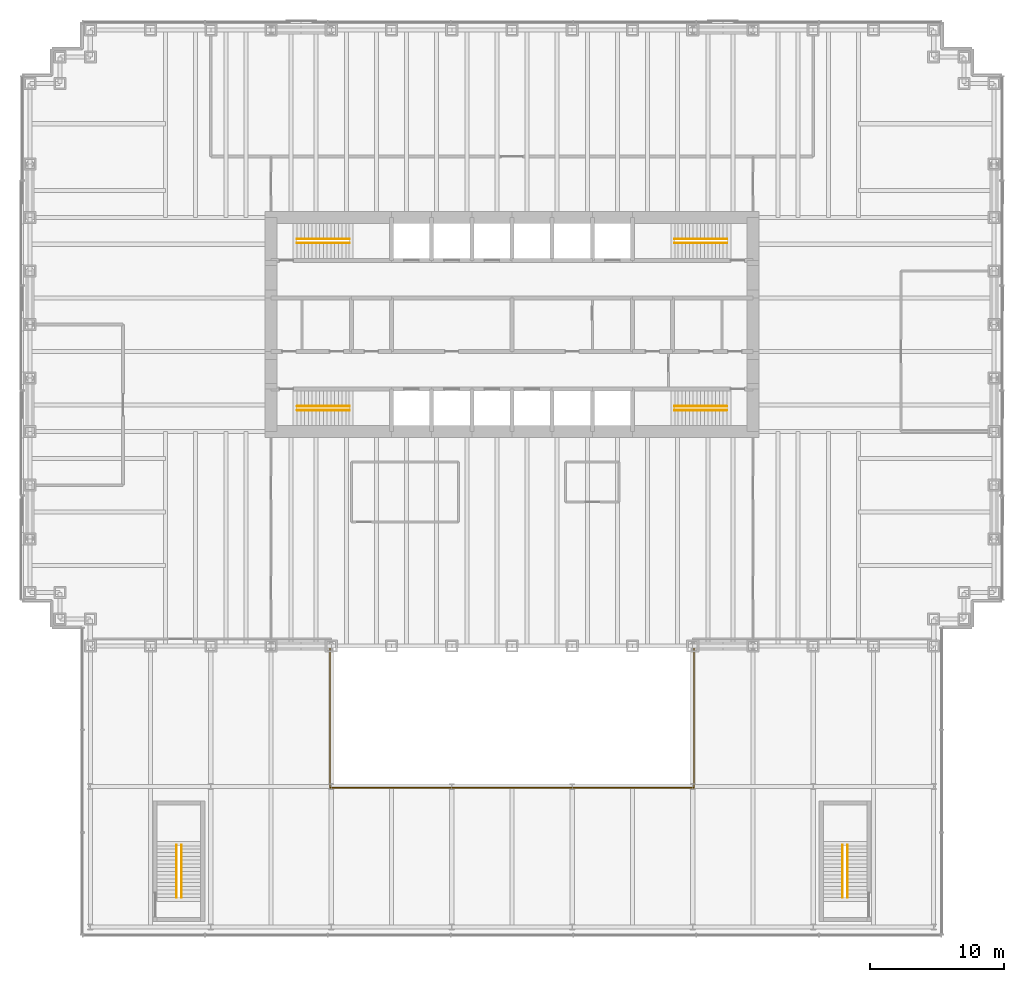
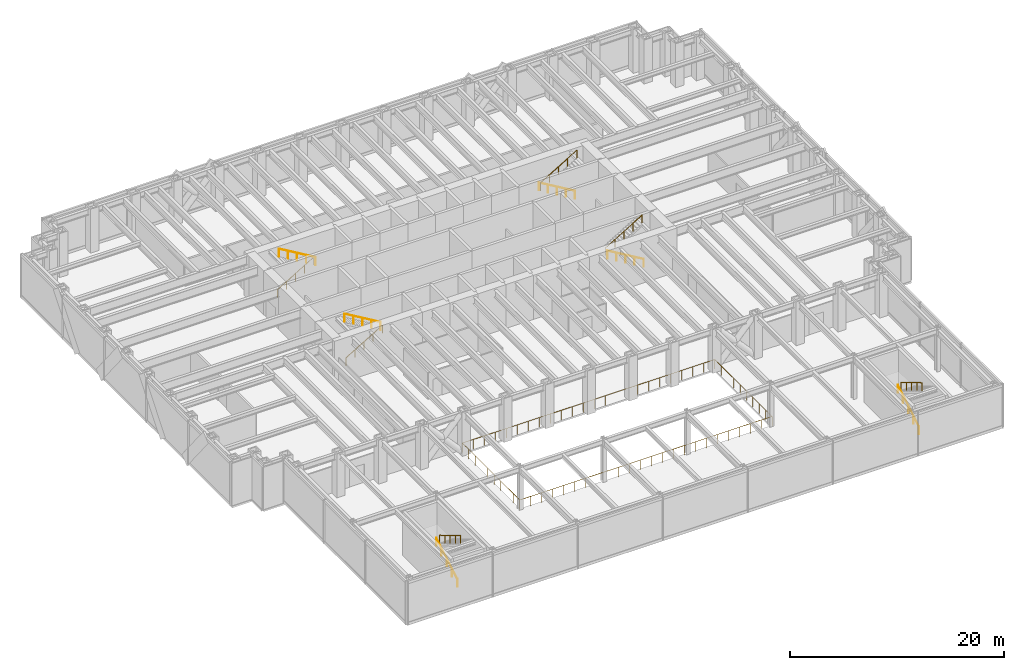
# One storey, part 17 of 17: 13 railings.
"""IFC4 building model written with IfcOpenShell, lengths in metres."""

from ifc_helpers import new_model, si_unit, direction, frame, origin, origin_2d, place, context, subcontext, project, spatial, circle, extrude, material, type_object, element, save


model = new_model("IFC4")

# Units and contexts
model_context = context("Model", 3, precision=1e-05, world=origin(), true_north=direction((0.0, 1.0)))
body_context = subcontext(model_context, "Body", "Model", "MODEL_VIEW")
ifc_project = project(units=[si_unit("LENGTHUNIT", "METRE"), si_unit("AREAUNIT", "SQUARE_METRE"), si_unit("VOLUMEUNIT", "CUBIC_METRE"), si_unit("PLANEANGLEUNIT", "RADIAN"), si_unit("MASSUNIT", "GRAM", prefix="KILO")], contexts=[model_context])

# Site, building, storey
site_placement = place(None, origin())
site = spatial("IfcSite", under=ifc_project, at=site_placement, CompositionType="ELEMENT")
building_placement = place(site_placement, origin())
building = spatial("IfcBuilding", under=site, at=building_placement, Name="Rheinbord Bourse Tower", CompositionType="ELEMENT")
storey_placement = place(building_placement, frame((0.0, 0.0, 13.0)))
storey = spatial("IfcBuildingStorey", under=building, at=storey_placement, Name="L02", CompositionType="ELEMENT", Elevation=13.0)

# Railings
ifc_material_1 = material(Name="Steel and glass guard", Category="steel")
railing_type_1 = type_object("IfcRailingType", Name="GUARD 1100", PredefinedType="GUARDRAIL", material=ifc_material_1)
railing_1_placement = place(storey_placement, frame((22.39990234375, -10.60009765625, 0.0)))
element("IfcRailing", 1, at=railing_1_placement, inside=storey, type_object=railing_type_1, Name="Atrium guard L02", PredefinedType="GUARDRAIL", context=body_context, shape_type="SweptSolid", body=[
    extrude(circle(Radius=0.02392578125, at=origin_2d()), frame((0.0, 0.0, 1.076171875), z_axis=(1.0, 0.0, 0.0), x_axis=(0.0, 1.0, 0.0)), (0.0, 0.0, 1.0), 27.2001953125),
    extrude(circle(Radius=0.02392578125, at=origin_2d()), frame((27.2001953125, 0.0, 1.076171875), z_axis=(0.0, 1.0, 0.0), x_axis=(-1.0, 0.0, 0.0)), (0.0, 0.0, 1.0), 10.7001953125),
    extrude(circle(Radius=0.02392578125, at=origin_2d()), frame((27.2001953125, 10.7001953125, 1.076171875), z_axis=(-1.0, 0.0, 0.0), x_axis=(0.0, -1.0, 0.0)), (0.0, 0.0, 1.0), 27.2001953125),
    extrude(circle(Radius=0.02392578125, at=origin_2d()), frame((0.0, 10.7001953125, 1.076171875), z_axis=(0.0, -1.0, 0.0), x_axis=(1.0, 0.0, 0.0)), (0.0, 0.0, 1.0), 10.7001953125),
    extrude(circle(Radius=0.02099609375, at=origin_2d()), origin(), (0.0, 0.0, 1.0), 1.052001953125),
    extrude(circle(Radius=0.02099609375, at=origin_2d()), frame((1.1826171875, 0.0, 0.0)), (0.0, 0.0, 1.0), 1.052001953125),
    extrude(circle(Radius=0.02099609375, at=origin_2d()), frame((2.365234375, 0.0, 0.0)), (0.0, 0.0, 1.0), 1.052001953125),
    extrude(circle(Radius=0.02099609375, at=origin_2d()), frame((3.5478515625, 0.0, 0.0)), (0.0, 0.0, 1.0), 1.052001953125),
    extrude(circle(Radius=0.02099609375, at=origin_2d()), frame((4.73046875, 0.0, 0.0)), (0.0, 0.0, 1.0), 1.052001953125),
    extrude(circle(Radius=0.02099609375, at=origin_2d()), frame((5.9130859375, 0.0, 0.0)), (0.0, 0.0, 1.0), 1.052001953125),
    extrude(circle(Radius=0.02099609375, at=origin_2d()), frame((7.095703125, 0.0, 0.0)), (0.0, 0.0, 1.0), 1.052001953125),
    extrude(circle(Radius=0.02099609375, at=origin_2d()), frame((8.2783203125, 0.0, 0.0)), (0.0, 0.0, 1.0), 1.052001953125),
    extrude(circle(Radius=0.02099609375, at=origin_2d()), frame((9.4609375, 0.0, 0.0)), (0.0, 0.0, 1.0), 1.052001953125),
    extrude(circle(Radius=0.02099609375, at=origin_2d()), frame((10.6435546875, 0.0, 0.0)), (0.0, 0.0, 1.0), 1.052001953125),
    extrude(circle(Radius=0.02099609375, at=origin_2d()), frame((11.826171875, 0.0, 0.0)), (0.0, 0.0, 1.0), 1.052001953125),
    extrude(circle(Radius=0.02099609375, at=origin_2d()), frame((13.0087890625, 0.0, 0.0)), (0.0, 0.0, 1.0), 1.052001953125),
    extrude(circle(Radius=0.02099609375, at=origin_2d()), frame((14.19140625, 0.0, 0.0)), (0.0, 0.0, 1.0), 1.052001953125),
    extrude(circle(Radius=0.02099609375, at=origin_2d()), frame((15.3740234375, 0.0, 0.0)), (0.0, 0.0, 1.0), 1.052001953125),
    extrude(circle(Radius=0.02099609375, at=origin_2d()), frame((16.556640625, 0.0, 0.0)), (0.0, 0.0, 1.0), 1.052001953125),
    extrude(circle(Radius=0.02099609375, at=origin_2d()), frame((17.7392578125, 0.0, 0.0)), (0.0, 0.0, 1.0), 1.052001953125),
    extrude(circle(Radius=0.02099609375, at=origin_2d()), frame((18.921875, 0.0, 0.0)), (0.0, 0.0, 1.0), 1.052001953125),
    extrude(circle(Radius=0.02099609375, at=origin_2d()), frame((20.1044921875, 0.0, 0.0)), (0.0, 0.0, 1.0), 1.052001953125),
    extrude(circle(Radius=0.02099609375, at=origin_2d()), frame((21.287109375, 0.0, 0.0)), (0.0, 0.0, 1.0), 1.052001953125),
    extrude(circle(Radius=0.02099609375, at=origin_2d()), frame((22.4697265625, 0.0, 0.0)), (0.0, 0.0, 1.0), 1.052001953125),
    extrude(circle(Radius=0.02099609375, at=origin_2d()), frame((23.65234375, 0.0, 0.0)), (0.0, 0.0, 1.0), 1.052001953125),
    extrude(circle(Radius=0.02099609375, at=origin_2d()), frame((24.8349609375, 0.0, 0.0)), (0.0, 0.0, 1.0), 1.052001953125),
    extrude(circle(Radius=0.02099609375, at=origin_2d()), frame((26.017578125, 0.0, 0.0)), (0.0, 0.0, 1.0), 1.052001953125),
    extrude(circle(Radius=0.02099609375, at=origin_2d()), frame((27.2001953125, 0.0, 0.0)), (0.0, 0.0, 1.0), 1.052001953125),
    extrude(circle(Radius=0.02099609375, at=origin_2d()), frame((27.2001953125, 1.18896484375, 0.0)), (0.0, 0.0, 1.0), 1.052001953125),
    extrude(circle(Radius=0.02099609375, at=origin_2d()), frame((27.2001953125, 2.3779296875, 0.0)), (0.0, 0.0, 1.0), 1.052001953125),
    extrude(circle(Radius=0.02099609375, at=origin_2d()), frame((27.2001953125, 3.566650390625, 0.0)), (0.0, 0.0, 1.0), 1.052001953125),
    extrude(circle(Radius=0.02099609375, at=origin_2d()), frame((27.2001953125, 4.755615234375, 0.0)), (0.0, 0.0, 1.0), 1.052001953125),
    extrude(circle(Radius=0.02099609375, at=origin_2d()), frame((27.2001953125, 5.944580078125, 0.0)), (0.0, 0.0, 1.0), 1.052001953125),
    extrude(circle(Radius=0.02099609375, at=origin_2d()), frame((27.2001953125, 7.133544921875, 0.0)), (0.0, 0.0, 1.0), 1.052001953125),
    extrude(circle(Radius=0.02099609375, at=origin_2d()), frame((27.2001953125, 8.322265625, 0.0)), (0.0, 0.0, 1.0), 1.052001953125),
    extrude(circle(Radius=0.02099609375, at=origin_2d()), frame((27.2001953125, 9.51123046875, 0.0)), (0.0, 0.0, 1.0), 1.052001953125),
    extrude(circle(Radius=0.02099609375, at=origin_2d()), frame((27.2001953125, 10.7001953125, 0.0)), (0.0, 0.0, 1.0), 1.052001953125),
    extrude(circle(Radius=0.02099609375, at=origin_2d()), frame((26.017578125, 10.7001953125, 0.0)), (0.0, 0.0, 1.0), 1.052001953125),
    extrude(circle(Radius=0.02099609375, at=origin_2d()), frame((24.8349609375, 10.7001953125, 0.0)), (0.0, 0.0, 1.0), 1.052001953125),
    extrude(circle(Radius=0.02099609375, at=origin_2d()), frame((23.65234375, 10.7001953125, 0.0)), (0.0, 0.0, 1.0), 1.052001953125),
    extrude(circle(Radius=0.02099609375, at=origin_2d()), frame((22.4697265625, 10.7001953125, 0.0)), (0.0, 0.0, 1.0), 1.052001953125),
    extrude(circle(Radius=0.02099609375, at=origin_2d()), frame((21.287109375, 10.7001953125, 0.0)), (0.0, 0.0, 1.0), 1.052001953125),
    extrude(circle(Radius=0.02099609375, at=origin_2d()), frame((20.1044921875, 10.7001953125, 0.0)), (0.0, 0.0, 1.0), 1.052001953125),
    extrude(circle(Radius=0.02099609375, at=origin_2d()), frame((18.921875, 10.7001953125, 0.0)), (0.0, 0.0, 1.0), 1.052001953125),
    extrude(circle(Radius=0.02099609375, at=origin_2d()), frame((17.7392578125, 10.7001953125, 0.0)), (0.0, 0.0, 1.0), 1.052001953125),
    extrude(circle(Radius=0.02099609375, at=origin_2d()), frame((16.556640625, 10.7001953125, 0.0)), (0.0, 0.0, 1.0), 1.052001953125),
    extrude(circle(Radius=0.02099609375, at=origin_2d()), frame((15.3740234375, 10.7001953125, 0.0)), (0.0, 0.0, 1.0), 1.052001953125),
    extrude(circle(Radius=0.02099609375, at=origin_2d()), frame((14.19140625, 10.7001953125, 0.0)), (0.0, 0.0, 1.0), 1.052001953125),
    extrude(circle(Radius=0.02099609375, at=origin_2d()), frame((13.0087890625, 10.7001953125, 0.0)), (0.0, 0.0, 1.0), 1.052001953125),
    extrude(circle(Radius=0.02099609375, at=origin_2d()), frame((11.826171875, 10.7001953125, 0.0)), (0.0, 0.0, 1.0), 1.052001953125),
    extrude(circle(Radius=0.02099609375, at=origin_2d()), frame((10.6435546875, 10.7001953125, 0.0)), (0.0, 0.0, 1.0), 1.052001953125),
    extrude(circle(Radius=0.02099609375, at=origin_2d()), frame((9.4609375, 10.7001953125, 0.0)), (0.0, 0.0, 1.0), 1.052001953125),
    extrude(circle(Radius=0.02099609375, at=origin_2d()), frame((8.2783203125, 10.7001953125, 0.0)), (0.0, 0.0, 1.0), 1.052001953125),
    extrude(circle(Radius=0.02099609375, at=origin_2d()), frame((7.095703125, 10.7001953125, 0.0)), (0.0, 0.0, 1.0), 1.052001953125),
    extrude(circle(Radius=0.02099609375, at=origin_2d()), frame((5.9130859375, 10.7001953125, 0.0)), (0.0, 0.0, 1.0), 1.052001953125),
    extrude(circle(Radius=0.02099609375, at=origin_2d()), frame((4.73046875, 10.7001953125, 0.0)), (0.0, 0.0, 1.0), 1.052001953125),
    extrude(circle(Radius=0.02099609375, at=origin_2d()), frame((3.5478515625, 10.7001953125, 0.0)), (0.0, 0.0, 1.0), 1.052001953125),
    extrude(circle(Radius=0.02099609375, at=origin_2d()), frame((2.365234375, 10.7001953125, 0.0)), (0.0, 0.0, 1.0), 1.052001953125),
    extrude(circle(Radius=0.02099609375, at=origin_2d()), frame((1.1826171875, 10.7001953125, 0.0)), (0.0, 0.0, 1.0), 1.052001953125),
    extrude(circle(Radius=0.02099609375, at=origin_2d()), frame((0.0, 10.7001953125, 0.0)), (0.0, 0.0, 1.0), 1.052001953125),
    extrude(circle(Radius=0.02099609375, at=origin_2d()), frame((0.0, 9.51123046875, 0.0)), (0.0, 0.0, 1.0), 1.052001953125),
    extrude(circle(Radius=0.02099609375, at=origin_2d()), frame((0.0, 8.322265625, 0.0)), (0.0, 0.0, 1.0), 1.052001953125),
    extrude(circle(Radius=0.02099609375, at=origin_2d()), frame((0.0, 7.133544921875, 0.0)), (0.0, 0.0, 1.0), 1.052001953125),
    extrude(circle(Radius=0.02099609375, at=origin_2d()), frame((0.0, 5.944580078125, 0.0)), (0.0, 0.0, 1.0), 1.052001953125),
    extrude(circle(Radius=0.02099609375, at=origin_2d()), frame((0.0, 4.755615234375, 0.0)), (0.0, 0.0, 1.0), 1.052001953125),
    extrude(circle(Radius=0.02099609375, at=origin_2d()), frame((0.0, 3.566650390625, 0.0)), (0.0, 0.0, 1.0), 1.052001953125),
    extrude(circle(Radius=0.02099609375, at=origin_2d()), frame((0.0, 2.3779296875, 0.0)), (0.0, 0.0, 1.0), 1.052001953125),
    extrude(circle(Radius=0.02099609375, at=origin_2d()), frame((0.0, 1.18896484375, 0.0)), (0.0, 0.0, 1.0), 1.052001953125),
])
ifc_material_2 = material(Name="Steel handrail", Category="steel")
railing_type_2 = type_object("IfcRailingType", Name="HANDRAIL 900", PredefinedType="HANDRAIL", material=ifc_material_2)
railing_2_placement = place(storey_placement, frame((19.949951171875, 17.60009765625, 0.1669921875)))
element("IfcRailing", 2, at=railing_2_placement, inside=storey, type_object=railing_type_2, Name="Handrail", PredefinedType="HANDRAIL", context=body_context, shape_type="SweptSolid", body=[
    extrude(circle(Radius=0.02392578125, at=origin_2d()), frame((0.0, 0.0, 0.8759765625), z_axis=(0.859333764799, 0.0, 0.511415174467), x_axis=(0.0, 1.0, 0.0)), (0.0, 0.0, 1.0), 4.561767578125),
    extrude(circle(Radius=0.02099609375, at=origin_2d()), origin(), (0.0, 0.0, 1.0), 0.851806640625),
    extrude(circle(Radius=0.02099609375, at=origin_2d()), frame((0.97998046875, 0.0, 0.583251953125)), (0.0, 0.0, 1.0), 0.851806640625),
    extrude(circle(Radius=0.02099609375, at=origin_2d()), frame((1.9599609375, 0.0, 1.16650390625)), (0.0, 0.0, 1.0), 0.851806640625),
    extrude(circle(Radius=0.02099609375, at=origin_2d()), frame((2.940185546875, 0.0, 1.749755859375)), (0.0, 0.0, 1.0), 0.851806640625),
    extrude(circle(Radius=0.02099609375, at=origin_2d()), frame((3.920166015625, 0.0, 2.3330078125)), (0.0, 0.0, 1.0), 0.851806640625),
])
railing_3_placement = place(storey_placement, frame((23.8701171875, 17.89990234375, 2.6669921875)))
element("IfcRailing", 3, at=railing_3_placement, inside=storey, type_object=railing_type_2, Name="Handrail", PredefinedType="HANDRAIL", context=body_context, shape_type="SweptSolid", body=[
    extrude(circle(Radius=0.02392578125, at=origin_2d()), frame((0.0, 0.0, 0.8759765625), z_axis=(-0.859333764799, 0.0, 0.511415174467), x_axis=(0.0, -1.0, 0.0)), (0.0, 0.0, 1.0), 4.561767578125),
    extrude(circle(Radius=0.02099609375, at=origin_2d()), origin(), (0.0, 0.0, 1.0), 0.851806640625),
    extrude(circle(Radius=0.02099609375, at=origin_2d()), frame((-0.97998046875, 0.0, 0.583251953125)), (0.0, 0.0, 1.0), 0.851806640625),
    extrude(circle(Radius=0.02099609375, at=origin_2d()), frame((-1.9599609375, 0.0, 1.16650390625)), (0.0, 0.0, 1.0), 0.851806640625),
    extrude(circle(Radius=0.02099609375, at=origin_2d()), frame((-2.940185546875, 0.0, 1.749755859375)), (0.0, 0.0, 1.0), 0.851806640625),
    extrude(circle(Radius=0.02099609375, at=origin_2d()), frame((-3.920166015625, 0.0, 2.3330078125)), (0.0, 0.0, 1.0), 0.851806640625),
])
railing_4_placement = place(storey_placement, frame((19.949951171875, 30.39990234375, 0.1669921875)))
element("IfcRailing", 4, at=railing_4_placement, inside=storey, type_object=railing_type_2, Name="Handrail", PredefinedType="HANDRAIL", context=body_context, shape_type="SweptSolid", body=[
    extrude(circle(Radius=0.02392578125, at=origin_2d()), frame((0.0, 0.0, 0.8759765625), z_axis=(0.859333764799, 0.0, 0.511415174467), x_axis=(0.0, 1.0, 0.0)), (0.0, 0.0, 1.0), 4.561767578125),
    extrude(circle(Radius=0.02099609375, at=origin_2d()), origin(), (0.0, 0.0, 1.0), 0.851806640625),
    extrude(circle(Radius=0.02099609375, at=origin_2d()), frame((0.97998046875, 0.0, 0.583251953125)), (0.0, 0.0, 1.0), 0.851806640625),
    extrude(circle(Radius=0.02099609375, at=origin_2d()), frame((1.9599609375, 0.0, 1.16650390625)), (0.0, 0.0, 1.0), 0.851806640625),
    extrude(circle(Radius=0.02099609375, at=origin_2d()), frame((2.940185546875, 0.0, 1.749755859375)), (0.0, 0.0, 1.0), 0.851806640625),
    extrude(circle(Radius=0.02099609375, at=origin_2d()), frame((3.920166015625, 0.0, 2.3330078125)), (0.0, 0.0, 1.0), 0.851806640625),
])
for number, where, name in (
    (5, (23.8701171875, 30.10009765625, 2.6669921875), "Handrail"),
    (6, (52.050048828125, 17.60009765625, 0.1669921875), "Handrail"),
):
    element("IfcRailing", number, at=place(storey_placement, frame(where)), inside=storey, type_object=railing_type_2, Name=name, PredefinedType="HANDRAIL", context=body_context, shape_type="SweptSolid", body=[
        extrude(circle(Radius=0.02392578125, at=origin_2d()), frame((0.0, 0.0, 0.8759765625), z_axis=(-0.859333764799, 0.0, 0.511415174467), x_axis=(0.0, -1.0, 0.0)), (0.0, 0.0, 1.0), 4.561767578125),
        extrude(circle(Radius=0.02099609375, at=origin_2d()), origin(), (0.0, 0.0, 1.0), 0.851806640625),
        extrude(circle(Radius=0.02099609375, at=origin_2d()), frame((-0.97998046875, 0.0, 0.583251953125)), (0.0, 0.0, 1.0), 0.851806640625),
        extrude(circle(Radius=0.02099609375, at=origin_2d()), frame((-1.9599609375, 0.0, 1.16650390625)), (0.0, 0.0, 1.0), 0.851806640625),
        extrude(circle(Radius=0.02099609375, at=origin_2d()), frame((-2.940185546875, 0.0, 1.749755859375)), (0.0, 0.0, 1.0), 0.851806640625),
        extrude(circle(Radius=0.02099609375, at=origin_2d()), frame((-3.920166015625, 0.0, 2.3330078125)), (0.0, 0.0, 1.0), 0.851806640625),
    ])
railing_5_placement = place(storey_placement, frame((48.1298828125, 17.89990234375, 2.6669921875)))
element("IfcRailing", 7, at=railing_5_placement, inside=storey, type_object=railing_type_2, Name="Handrail", PredefinedType="HANDRAIL", context=body_context, shape_type="SweptSolid", body=[
    extrude(circle(Radius=0.02392578125, at=origin_2d()), frame((0.0, 0.0, 0.8759765625), z_axis=(0.859333764799, 0.0, 0.511415174467), x_axis=(0.0, 1.0, 0.0)), (0.0, 0.0, 1.0), 4.561767578125),
    extrude(circle(Radius=0.02099609375, at=origin_2d()), origin(), (0.0, 0.0, 1.0), 0.851806640625),
    extrude(circle(Radius=0.02099609375, at=origin_2d()), frame((0.97998046875, 0.0, 0.583251953125)), (0.0, 0.0, 1.0), 0.851806640625),
    extrude(circle(Radius=0.02099609375, at=origin_2d()), frame((1.9599609375, 0.0, 1.16650390625)), (0.0, 0.0, 1.0), 0.851806640625),
    extrude(circle(Radius=0.02099609375, at=origin_2d()), frame((2.940185546875, 0.0, 1.749755859375)), (0.0, 0.0, 1.0), 0.851806640625),
    extrude(circle(Radius=0.02099609375, at=origin_2d()), frame((3.920166015625, 0.0, 2.3330078125)), (0.0, 0.0, 1.0), 0.851806640625),
])
railing_6_placement = place(storey_placement, frame((52.050048828125, 30.39990234375, 0.1669921875)))
element("IfcRailing", 8, at=railing_6_placement, inside=storey, type_object=railing_type_2, Name="Handrail", PredefinedType="HANDRAIL", context=body_context, shape_type="SweptSolid", body=[
    extrude(circle(Radius=0.02392578125, at=origin_2d()), frame((0.0, 0.0, 0.8759765625), z_axis=(-0.859333764799, 0.0, 0.511415174467), x_axis=(0.0, -1.0, 0.0)), (0.0, 0.0, 1.0), 4.561767578125),
    extrude(circle(Radius=0.02099609375, at=origin_2d()), origin(), (0.0, 0.0, 1.0), 0.851806640625),
    extrude(circle(Radius=0.02099609375, at=origin_2d()), frame((-0.97998046875, 0.0, 0.583251953125)), (0.0, 0.0, 1.0), 0.851806640625),
    extrude(circle(Radius=0.02099609375, at=origin_2d()), frame((-1.9599609375, 0.0, 1.16650390625)), (0.0, 0.0, 1.0), 0.851806640625),
    extrude(circle(Radius=0.02099609375, at=origin_2d()), frame((-2.940185546875, 0.0, 1.749755859375)), (0.0, 0.0, 1.0), 0.851806640625),
    extrude(circle(Radius=0.02099609375, at=origin_2d()), frame((-3.920166015625, 0.0, 2.3330078125)), (0.0, 0.0, 1.0), 0.851806640625),
])
railing_7_placement = place(storey_placement, frame((48.1298828125, 30.10009765625, 2.6669921875)))
element("IfcRailing", 9, at=railing_7_placement, inside=storey, type_object=railing_type_2, Name="Handrail", PredefinedType="HANDRAIL", context=body_context, shape_type="SweptSolid", body=[
    extrude(circle(Radius=0.02392578125, at=origin_2d()), frame((0.0, 0.0, 0.8759765625), z_axis=(0.859333764799, 0.0, 0.511415174467), x_axis=(0.0, 1.0, 0.0)), (0.0, 0.0, 1.0), 4.561767578125),
    extrude(circle(Radius=0.02099609375, at=origin_2d()), origin(), (0.0, 0.0, 1.0), 0.851806640625),
    extrude(circle(Radius=0.02099609375, at=origin_2d()), frame((0.97998046875, 0.0, 0.583251953125)), (0.0, 0.0, 1.0), 0.851806640625),
    extrude(circle(Radius=0.02099609375, at=origin_2d()), frame((1.9599609375, 0.0, 1.16650390625)), (0.0, 0.0, 1.0), 0.851806640625),
    extrude(circle(Radius=0.02099609375, at=origin_2d()), frame((2.940185546875, 0.0, 1.749755859375)), (0.0, 0.0, 1.0), 0.851806640625),
    extrude(circle(Radius=0.02099609375, at=origin_2d()), frame((3.920166015625, 0.0, 2.3330078125)), (0.0, 0.0, 1.0), 0.851806640625),
])
railing_8_placement = place(storey_placement, frame((10.949951171875, -18.800048828125, 0.1669921875)))
element("IfcRailing", 10, at=railing_8_placement, inside=storey, type_object=railing_type_2, Name="Handrail", PredefinedType="HANDRAIL", context=body_context, shape_type="SweptSolid", body=[
    extrude(circle(Radius=0.02392578125, at=origin_2d()), frame((0.0, 0.0, 0.8759765625), z_axis=(0.0, 0.859333764799, 0.511415174467), x_axis=(-1.0, 0.0, 0.0)), (0.0, 0.0, 1.0), 4.561767578125),
    extrude(circle(Radius=0.02099609375, at=origin_2d()), origin(), (0.0, 0.0, 1.0), 0.851806640625),
    extrude(circle(Radius=0.02099609375, at=origin_2d()), frame((0.0, 0.97998046875, 0.583251953125)), (0.0, 0.0, 1.0), 0.851806640625),
    extrude(circle(Radius=0.02099609375, at=origin_2d()), frame((0.0, 1.9599609375, 1.16650390625)), (0.0, 0.0, 1.0), 0.851806640625),
    extrude(circle(Radius=0.02099609375, at=origin_2d()), frame((0.0, 2.940185546875, 1.749755859375)), (0.0, 0.0, 1.0), 0.851806640625),
    extrude(circle(Radius=0.02099609375, at=origin_2d()), frame((0.0, 3.920166015625, 2.3330078125)), (0.0, 0.0, 1.0), 0.851806640625),
])
railing_9_placement = place(storey_placement, frame((11.300048828125, -14.8798828125, 2.6669921875)))
element("IfcRailing", 11, at=railing_9_placement, inside=storey, type_object=railing_type_2, Name="Handrail", PredefinedType="HANDRAIL", context=body_context, shape_type="SweptSolid", body=[
    extrude(circle(Radius=0.02392578125, at=origin_2d()), frame((0.0, 0.0, 0.8759765625), z_axis=(0.0, -0.859333764799, 0.511415174467), x_axis=(1.0, 0.0, 0.0)), (0.0, 0.0, 1.0), 4.561767578125),
    extrude(circle(Radius=0.02099609375, at=origin_2d()), origin(), (0.0, 0.0, 1.0), 0.851806640625),
    extrude(circle(Radius=0.02099609375, at=origin_2d()), frame((0.0, -0.97998046875, 0.583251953125)), (0.0, 0.0, 1.0), 0.851806640625),
    extrude(circle(Radius=0.02099609375, at=origin_2d()), frame((0.0, -1.9599609375, 1.16650390625)), (0.0, 0.0, 1.0), 0.851806640625),
    extrude(circle(Radius=0.02099609375, at=origin_2d()), frame((0.0, -2.940185546875, 1.749755859375)), (0.0, 0.0, 1.0), 0.851806640625),
    extrude(circle(Radius=0.02099609375, at=origin_2d()), frame((0.0, -3.920166015625, 2.3330078125)), (0.0, 0.0, 1.0), 0.851806640625),
])
railing_10_placement = place(storey_placement, frame((60.699951171875, -18.800048828125, 0.1669921875)))
element("IfcRailing", 12, at=railing_10_placement, inside=storey, type_object=railing_type_2, Name="Handrail", PredefinedType="HANDRAIL", context=body_context, shape_type="SweptSolid", body=[
    extrude(circle(Radius=0.02392578125, at=origin_2d()), frame((0.0, 0.0, 0.8759765625), z_axis=(0.0, 0.859333764799, 0.511415174467), x_axis=(-1.0, 0.0, 0.0)), (0.0, 0.0, 1.0), 4.561767578125),
    extrude(circle(Radius=0.02099609375, at=origin_2d()), origin(), (0.0, 0.0, 1.0), 0.851806640625),
    extrude(circle(Radius=0.02099609375, at=origin_2d()), frame((0.0, 0.97998046875, 0.583251953125)), (0.0, 0.0, 1.0), 0.851806640625),
    extrude(circle(Radius=0.02099609375, at=origin_2d()), frame((0.0, 1.9599609375, 1.16650390625)), (0.0, 0.0, 1.0), 0.851806640625),
    extrude(circle(Radius=0.02099609375, at=origin_2d()), frame((0.0, 2.940185546875, 1.749755859375)), (0.0, 0.0, 1.0), 0.851806640625),
    extrude(circle(Radius=0.02099609375, at=origin_2d()), frame((0.0, 3.920166015625, 2.3330078125)), (0.0, 0.0, 1.0), 0.851806640625),
])
railing_11_placement = place(storey_placement, frame((61.050048828125, -14.8798828125, 2.6669921875)))
element("IfcRailing", 13, at=railing_11_placement, inside=storey, type_object=railing_type_2, Name="Handrail", PredefinedType="HANDRAIL", context=body_context, shape_type="SweptSolid", body=[
    extrude(circle(Radius=0.02392578125, at=origin_2d()), frame((0.0, 0.0, 0.8759765625), z_axis=(0.0, -0.859333764799, 0.511415174467), x_axis=(1.0, 0.0, 0.0)), (0.0, 0.0, 1.0), 4.561767578125),
    extrude(circle(Radius=0.02099609375, at=origin_2d()), origin(), (0.0, 0.0, 1.0), 0.851806640625),
    extrude(circle(Radius=0.02099609375, at=origin_2d()), frame((0.0, -0.97998046875, 0.583251953125)), (0.0, 0.0, 1.0), 0.851806640625),
    extrude(circle(Radius=0.02099609375, at=origin_2d()), frame((0.0, -1.9599609375, 1.16650390625)), (0.0, 0.0, 1.0), 0.851806640625),
    extrude(circle(Radius=0.02099609375, at=origin_2d()), frame((0.0, -2.940185546875, 1.749755859375)), (0.0, 0.0, 1.0), 0.851806640625),
    extrude(circle(Radius=0.02099609375, at=origin_2d()), frame((0.0, -3.920166015625, 2.3330078125)), (0.0, 0.0, 1.0), 0.851806640625),
])

save(model, "model.ifc")
